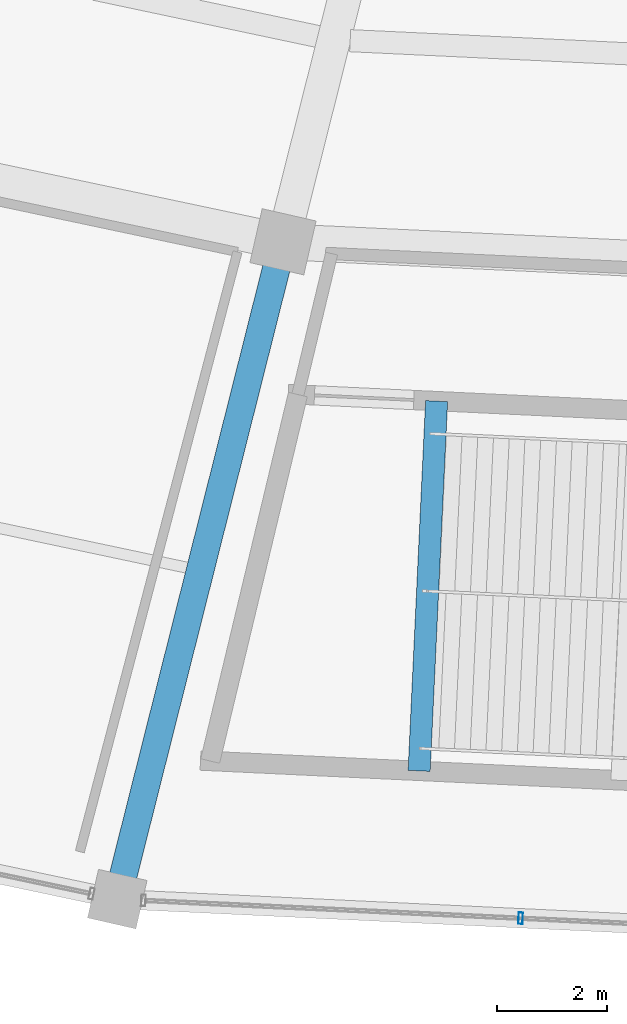
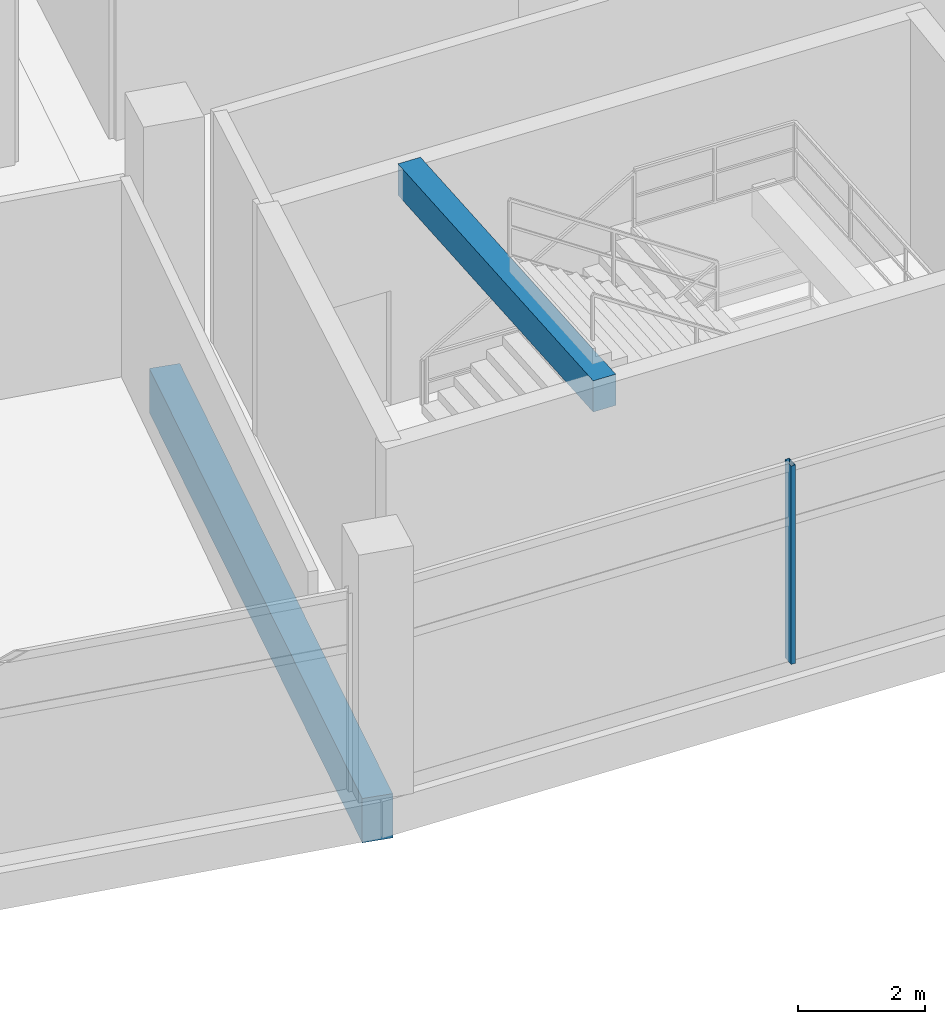
# One storey, part 17 of 171: 2 beams, 1 member, 1 element without a shape of its own.
"""IFC4 building model written with IfcOpenShell, lengths in metres."""

from ifc_helpers import new_model, si_unit, direction, frame, origin, origin_2d, place, context, subcontext, project, spatial, rectangle, hollow_rectangle, extrude, material, layer, layer_set, material_profile, profile_set, type_object, element, aggregate, save


model = new_model("IFC4")

# Units and contexts
model_context = context("Model", 3, precision=1e-05, world=origin(), true_north=direction((0.0, 1.0)))
body_context = subcontext(model_context, "Body", "Model", "MODEL_VIEW")
ifc_project = project(units=[si_unit("LENGTHUNIT", "METRE"), si_unit("AREAUNIT", "SQUARE_METRE"), si_unit("VOLUMEUNIT", "CUBIC_METRE"), si_unit("PLANEANGLEUNIT", "RADIAN"), si_unit("MASSUNIT", "GRAM", prefix="KILO")], contexts=[model_context])

# Site, building, storey
site_placement = place(None, origin())
site = spatial("IfcSite", under=ifc_project, at=site_placement, CompositionType="ELEMENT")
building_placement = place(site_placement, origin())
building = spatial("IfcBuilding", under=site, at=building_placement, Name="Kazemori Nagisa Stadium", CompositionType="ELEMENT")
storey_placement = place(building_placement, frame((0.0, 0.0, 15.639892578125)))
storey = spatial("IfcBuildingStorey", under=building, at=storey_placement, Name="L03", CompositionType="ELEMENT", Elevation=15.639892578125)

# Beams
ifc_material_1 = material(Name="Concrete C40/50 (Fc42)", Category="concrete")
ifc_material_profile_1 = material_profile(ifc_material_1, rectangle(XDim=0.39990234375, YDim=0.60009765625, at=origin_2d()), Name="RC-BM-400x600")
ifc_profile_set_1 = profile_set([ifc_material_profile_1], Name="Concrete C40/50 (Fc42)")
beam_type_1 = type_object("IfcBeamType", Name="Beam_BG-LND400X600", PredefinedType="BEAM", material=ifc_profile_set_1)
beam_1_placement = place(storey_placement, frame((107.352783203125, 26.02783203125, 4.16015625), z_axis=(-0.047220656191, -0.998884482625, 0.0), x_axis=(0.998884482625, -0.047220656191, 0.0)))
element("IfcBeam", 1, at=beam_1_placement, inside=storey, type_object=beam_type_1, Name="Core stair arrival header girder ST12-L03", PredefinedType="BEAM", context=body_context, shape_type="SweptSolid", body=[
    extrude(rectangle(XDim=0.39990234375, YDim=0.60009765625, at=origin_2d()), origin(), (0.0, 0.0, 1.0), 6.70068359375),
])
ifc_material_profile_2 = material_profile(ifc_material_1, rectangle(XDim=0.5, YDim=0.85009765625, at=origin_2d()), Name="RC-BM-500x850")
ifc_profile_set_2 = profile_set([ifc_material_profile_2], Name="Concrete C40/50 (Fc42)")
beam_type_2 = type_object("IfcBeamType", Name="Beam_BG-RC500X850", PredefinedType="BEAM", material=ifc_profile_set_2)
beam_2_placement = place(storey_placement, frame((104.572265625, 28.911376953125, -0.684814453125), z_axis=(-0.244487324834, -0.969652488263, 0.0), x_axis=(0.969652488263, -0.244487324834, 0.0)))
element("IfcBeam", 2, at=beam_2_placement, inside=storey, type_object=beam_type_2, Name="Radial girder BG-RC500X850 L03 R2-R3-21", PredefinedType="BEAM", context=body_context, shape_type="SweptSolid", body=[
    extrude(rectangle(XDim=0.5, YDim=0.85009765625, at=origin_2d()), origin(), (0.0, 0.0, 1.0), 12.2705078125),
])

# Curtain wall, member
ifc_material_2 = material(Name="Anodised aluminium 6063-T5", Category="aluminium")
ifc_layer = layer(ifc_material_2, 0.2099609375, Name="Anodised aluminium 6063-T5", Category="aluminium")
ifc_layer_set = layer_set([ifc_layer], Name="Anodised aluminium 6063-T5")
curtain_wall_type = type_object("IfcCurtainWallType", Name="CW_L03R3_103", PredefinedType="USERDEFINED", material=ifc_layer_set)
curtain_wall_placement = place(storey_placement, origin())
curtain_wall = element("IfcCurtainWall", 3, at=curtain_wall_placement, inside=storey, type_object=curtain_wall_type, Name="Unitised curtain wall CW-L03R3-103 L03", ObjectType="UNITISED CURTAIN WALL", PredefinedType="USERDEFINED")
ifc_material_3 = material(Name="Aluminium 6063-T5 anodised", Category="aluminium")
ifc_material_profile_3 = material_profile(ifc_material_3, hollow_rectangle(XDim=0.080078125, YDim=0.2099609375, WallThickness=0.0048828125, at=origin_2d()), Name="ALU-MULL-80x210x5")
ifc_profile_set_3 = profile_set([ifc_material_profile_3], Name="Aluminium 6063-T5 anodised")
member_type = type_object("IfcMemberType", Name="Mullion_M02", PredefinedType="MULLION", material=ifc_profile_set_3)
member_placement = place(storey_placement, frame((108.873046875, 16.66796875, 0.0), z_axis=(0.0, 0.0, 1.0), x_axis=(0.998884022476, -0.047230388971, 0.0)))
member = element("IfcMember", 4, at=member_placement, type_object=member_type, Name="Curtain wall mullion CW-L03R3-103-M2", PredefinedType="MULLION", context=body_context, shape_type="SweptSolid", body=[
    extrude(hollow_rectangle(XDim=0.080078125, YDim=0.2099609375, WallThickness=0.0048828125, at=origin_2d()), origin(), (0.0, 0.0, 1.0), 3.81005859375),
])
aggregate(curtain_wall, [member])

save(model, "model.ifc")
